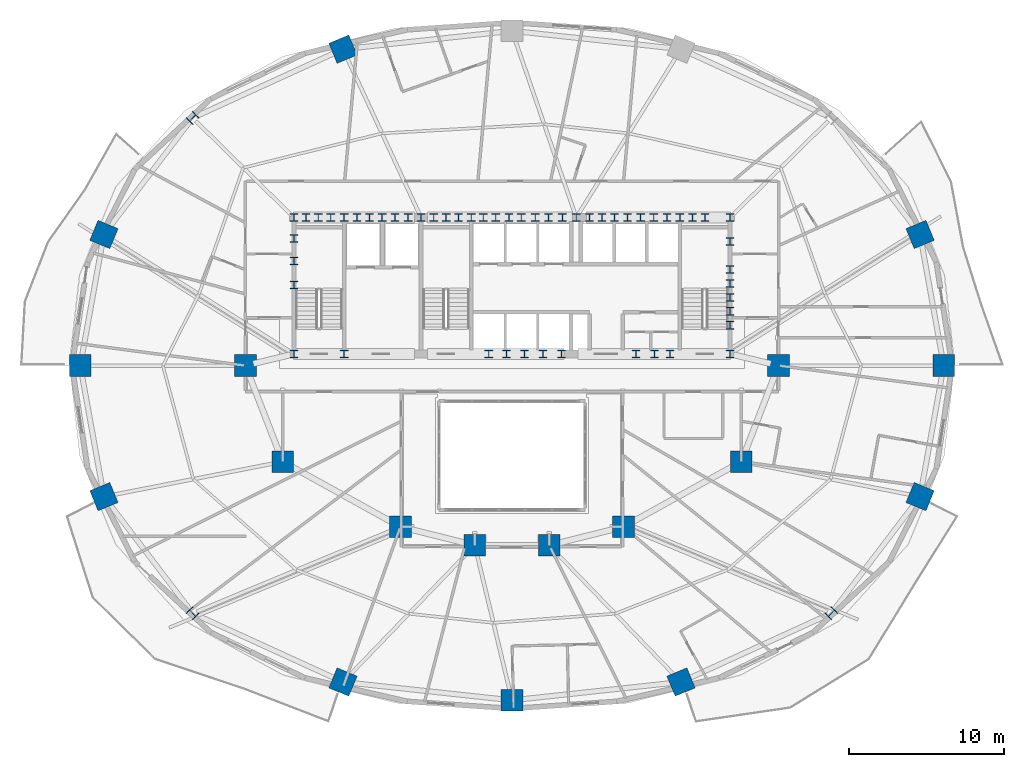
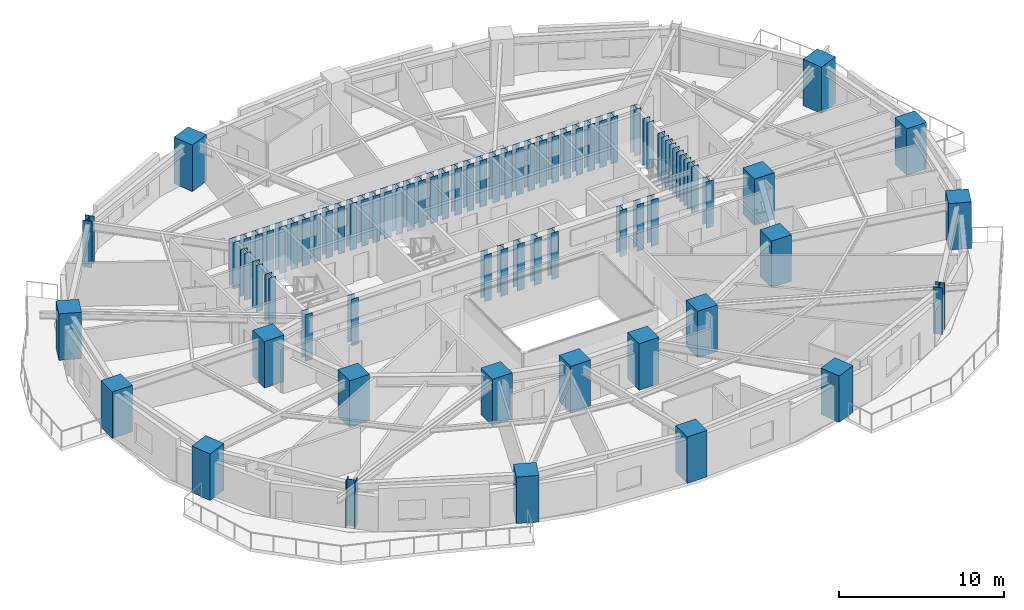
# One storey, part 1 of 15: 75 columns.
"""IFC4 building model written with IfcOpenShell, lengths in metres."""

import ifcopenshell
import ifcopenshell.guid

model = None  # the IFC model being written
_history = None  # IfcOwnerHistory: only IFC2X3 demands one
_inside = {}  # id of a spatial element -> (the spatial element, [elements in it])
_under = {}  # id of a project, library or spatial element -> (it, [spatial elements below it])
_declared = {}  # id of a project -> (the project, [libraries it declares])
_typed = {}  # id of a type object -> (the type object, [elements of that type])
_made_of = {}  # id of a material, layer set ... -> (it, [elements and type objects made of it])


def new_model(schema):
    """Start an empty IFC model of exactly this schema.

    Asked for "IFC4X3", IfcOpenShell would pick the latest addendum, in which some entities
    have other attributes; the version numbers below select the first issue.
    IFC2X3 requires an IfcOwnerHistory on every rooted entity: one is made here for all.
    """
    global model, _history
    if schema == "IFC4X3":
        model = ifcopenshell.file(schema_version=(4, 3, 0, 0))
    else:
        model = ifcopenshell.file(schema=schema)
    _inside.clear()
    _under.clear()
    _declared.clear()
    _typed.clear()
    _made_of.clear()
    _history = None
    if model.schema == "IFC2X3":
        org = make("IfcOrganization", Name="unknown")
        user = make(
            "IfcPersonAndOrganization",
            ThePerson=make("IfcPerson", FamilyName="unknown"),
            TheOrganization=org,
        )
        app = make(
            "IfcApplication",
            ApplicationDeveloper=org,
            Version="unknown",
            ApplicationFullName="unknown",
            ApplicationIdentifier="unknown",
        )
        _history = make(
            "IfcOwnerHistory",
            OwningUser=user,
            OwningApplication=app,
            ChangeAction="ADDED",
            CreationDate=0,
        )
    return model


def make(cls, **values):
    """One entity of the class cls with the attributes given. An attribute that is None is left unset."""
    return model.create_entity(
        cls, **{name: value for name, value in values.items() if value is not None}
    )


def rooted(cls, **values):
    """An entity with a GlobalId (a new one), such as an element, a storey or a relation."""
    return make(cls, GlobalId=ifcopenshell.guid.new(), OwnerHistory=_history, **values)


def si_unit(unit_type, name, prefix=None):
    """IfcSIUnit, for example si_unit("LENGTHUNIT", "METRE", prefix="MILLI")."""
    return make("IfcSIUnit", UnitType=unit_type, Prefix=prefix, Name=name)


def assignment(units):
    """IfcUnitAssignment: the units of a project."""
    return None if units is None else make("IfcUnitAssignment", Units=units)


def point(xyz):
    """IfcCartesianPoint."""
    return None if xyz is None else make("IfcCartesianPoint", Coordinates=xyz)


def direction(xyz):
    """IfcDirection."""
    return None if xyz is None else make("IfcDirection", DirectionRatios=xyz)


def frame(location, z_axis=None, x_axis=None):
    """IfcAxis2Placement3D, a coordinate frame: its origin and axes. An axis left out is left unset."""
    return make(
        "IfcAxis2Placement3D",
        Location=point(location),
        Axis=direction(z_axis),
        RefDirection=direction(x_axis),
    )


def frame_2d(location, x_axis=None):
    """IfcAxis2Placement2D, a coordinate frame in the plane: its origin and x axis."""
    return make(
        "IfcAxis2Placement2D", Location=point(location), RefDirection=direction(x_axis)
    )


def origin():
    """The frame at (0, 0, 0) with its axes left unset."""
    return frame((0.0, 0.0, 0.0))


def origin_2d():
    """The frame at (0, 0) in the plane with its x axis left unset."""
    return frame_2d((0.0, 0.0))


def place(relative_to, where):
    """IfcLocalPlacement: puts the frame where relative to a parent placement (None: the world)."""
    return make(
        "IfcLocalPlacement", PlacementRelTo=relative_to, RelativePlacement=where
    )


def context(
    kind, dimensions, precision=None, world=None, true_north=None, identifier=None
):
    """IfcGeometricRepresentationContext, for example the 3D "Model" context."""
    return make(
        "IfcGeometricRepresentationContext",
        ContextIdentifier=identifier,
        ContextType=kind,
        CoordinateSpaceDimension=dimensions,
        Precision=precision,
        WorldCoordinateSystem=world,
        TrueNorth=true_north,
    )


def subcontext(parent, identifier, kind, view, scale=None):
    """IfcGeometricRepresentationSubContext, for example "Body" below "Model"."""
    return make(
        "IfcGeometricRepresentationSubContext",
        ContextIdentifier=identifier,
        ContextType=kind,
        ParentContext=parent,
        TargetScale=scale,
        TargetView=view,
    )


def project(units=None, contexts=None):
    """IfcProject with its units and contexts."""
    return rooted(
        "IfcProject",
        Name="project",
        RepresentationContexts=contexts,
        UnitsInContext=assignment(units),
    )


def spatial(cls, under=None, at=None, **own):
    """A site, building, storey or space (cls), placed at a placement, below another one or the project."""
    s = rooted(cls, ObjectPlacement=at, **own)
    if under is not None:
        _under.setdefault(under.id(), (under, []))[1].append(s)
    return s


def profile(cls, at=None, kind="AREA", **sizes):
    """A parametric profile (cls). Its sizes go by their IFC names, for example OverallWidth=200.0."""
    return make(cls, ProfileType=kind, Position=at, **sizes)


def rectangle(**sizes):
    """IfcRectangleProfileDef."""
    return profile("IfcRectangleProfileDef", **sizes)


def i_section(**sizes):
    """IfcIShapeProfileDef."""
    return profile("IfcIShapeProfileDef", **sizes)


def extrude(swept, where, along, depth):
    """IfcExtrudedAreaSolid: the profile swept, set in the frame where, extruded along a direction by depth."""
    return make(
        "IfcExtrudedAreaSolid",
        SweptArea=swept,
        Position=where,
        ExtrudedDirection=direction(along),
        Depth=depth,
    )


def shape(context_of_items, identifier, shape_type, items):
    """IfcShapeRepresentation: the items that make up one representation, for example the "Body"."""
    return make(
        "IfcShapeRepresentation",
        ContextOfItems=context_of_items,
        RepresentationIdentifier=identifier,
        RepresentationType=shape_type,
        Items=items,
    )


def material(Name=None, Category=None):
    """IfcMaterial."""
    return make("IfcMaterial", Name=Name, Category=Category)


def material_profile(
    of_material, cross_section, Name=None, Category=None, Priority=None
):
    """IfcMaterialProfile: a cross section and its material."""
    return make(
        "IfcMaterialProfile",
        Name=Name,
        Material=of_material,
        Profile=cross_section,
        Priority=Priority,
        Category=Category,
    )


def profile_set(profiles, Name=None, composite=None):
    """IfcMaterialProfileSet."""
    return make(
        "IfcMaterialProfileSet",
        Name=Name,
        MaterialProfiles=profiles,
        CompositeProfile=composite,
    )


def made_of(thing, what):
    """Note that an element or type object is made of a material, layer set ...; save() writes the relation."""
    if what is not None:
        _made_of.setdefault(what.id(), (what, []))[1].append(thing)
    return thing


def type_object(cls, material=None, **own):
    """A type object (cls), such as IfcWallType, which elements share."""
    return made_of(rooted(cls, **own), material)


def element(
    cls,
    number,
    at=None,
    inside=None,
    cuts=None,
    type_object=None,
    material=None,
    context=None,
    identifier="Body",
    shape_type=None,
    held_by="IfcProductDefinitionShape",
    body=None,
    shapes=None,
    **own,
):
    """One element of the class cls, such as IfcWall. Its Tag is "e" and its number.

    at: its placement. inside: the storey or other place that contains it. cuts: it is an
    opening in that element (IfcRelVoidsElement). A single representation is given by context,
    identifier, shape_type and body (its items); several are given by shapes. held_by: the class
    of the entity that holds the representations. save() writes the other relations.
    """
    e = rooted(cls, Tag="e%d" % number, ObjectPlacement=at, **own)
    if body is not None:
        shapes = [shape(context, identifier, shape_type, body)]
    if shapes is not None:
        e.Representation = make(held_by, Representations=shapes)
    if inside is not None:
        _inside.setdefault(inside.id(), (inside, []))[1].append(e)
    if cuts is not None:
        rooted(
            "IfcRelVoidsElement", RelatingBuildingElement=cuts, RelatedOpeningElement=e
        )
    if type_object is not None:
        _typed.setdefault(type_object.id(), (type_object, []))[1].append(e)
    return made_of(e, material)


def aggregate(whole, parts):
    """IfcRelAggregates: a whole, such as a stair, and the parts it consists of."""
    return rooted("IfcRelAggregates", RelatingObject=whole, RelatedObjects=parts)


def save(model, path):
    """Write the relations noted so far, then the file.

    IfcRelAggregates (storeys below a building ...), IfcRelContainedInSpatialStructure (elements
    in a storey), IfcRelDefinesByType, IfcRelAssociatesMaterial and IfcRelDeclares: one each for
    every whole, place, type object, material and project.
    """
    for whole, parts in _under.values():
        aggregate(whole, parts)
    for where, things in _inside.values():
        rooted(
            "IfcRelContainedInSpatialStructure",
            RelatedElements=things,
            RelatingStructure=where,
        )
    for kind, things in _typed.values():
        rooted("IfcRelDefinesByType", RelatedObjects=things, RelatingType=kind)
    for what, things in _made_of.values():
        rooted("IfcRelAssociatesMaterial", RelatedObjects=things, RelatingMaterial=what)
    for by, libraries in _declared.values():
        rooted("IfcRelDeclares", RelatingContext=by, RelatedDefinitions=libraries)
    model.write(path)


model = new_model("IFC4")

# Units and contexts
model_context = context("Model", 3, precision=1e-05, world=origin(), true_north=direction((0.0, 1.0)))
body_context = subcontext(model_context, "Body", "Model", "MODEL_VIEW")
ifc_project = project(units=[si_unit("LENGTHUNIT", "METRE"), si_unit("AREAUNIT", "SQUARE_METRE"), si_unit("VOLUMEUNIT", "CUBIC_METRE"), si_unit("PLANEANGLEUNIT", "RADIAN"), si_unit("MASSUNIT", "GRAM", prefix="KILO")], contexts=[model_context])

# Site, building, storey
site_placement = place(None, origin())
site = spatial("IfcSite", under=ifc_project, at=site_placement, CompositionType="ELEMENT")
building_placement = place(site_placement, origin())
building = spatial("IfcBuilding", under=site, at=building_placement, Name="Haldorwick Loom Tower", CompositionType="ELEMENT")
storey_placement = place(building_placement, frame((0.0, 0.0, 85.25)))
storey = spatial("IfcBuildingStorey", under=building, at=storey_placement, Name="L22", CompositionType="ELEMENT", Elevation=85.25)

# Columns
ifc_material_1 = material(Name="Concrete C60 (60 MPa)", Category="concrete")
ifc_material_profile_1 = material_profile(ifc_material_1, rectangle(XDim=1.39990234375, YDim=1.39990234375, at=origin_2d()), Name="RC1400X1400", Category="concrete")
ifc_profile_set_1 = profile_set([ifc_material_profile_1], Name="Concrete C60 (60 MPa)")
column_type_1 = type_object("IfcColumnType", Name="STR-COL-MEGA1400", PredefinedType="COLUMN", material=ifc_profile_set_1)
for number, where, z_axis, x_axis, name in (
    (1, (53.199951171875, 26.0, 0.0), (0.0, 0.0, 1.0), (1.0, 0.0, 0.0), "L22 Inner Column IC-01"),
    (2, (50.800048828125, 19.800048828125, 0.0), (0.0, 0.0, 1.0), (1.0, 0.0, 0.0), "L22 Inner Column IC-02"),
    (3, (43.199951171875, 15.60009765625, 0.0), (0.0, 0.0, 1.0), (1.0, 0.0, 0.0), "L22 Inner Column IC-03"),
    (4, (38.39990234375, 14.39990234375, 0.0), (0.0, 0.0, 1.0), (1.0, 0.0, 0.0), "L22 Inner Column IC-04"),
    (5, (33.60009765625, 14.39990234375, 0.0), (0.0, 0.0, 1.0), (1.0, 0.0, 0.0), "L22 Inner Column IC-05"),
    (6, (28.800048828125, 15.60009765625, 0.0), (0.0, 0.0, 1.0), (1.0, 0.0, 0.0), "L22 Inner Column IC-06"),
    (7, (21.199951171875, 19.800048828125, 0.0), (0.0, 0.0, 1.0), (1.0, 0.0, 0.0), "L22 Inner Column IC-07"),
    (8, (18.800048828125, 26.0, 0.0), (0.0, 0.0, 1.0), (1.0, 0.0, 0.0), "L22 Inner Column IC-08"),
):
    element("IfcColumn", number, at=place(storey_placement, frame(where, z_axis=z_axis, x_axis=x_axis)), inside=storey, type_object=column_type_1, Name=name, PredefinedType="COLUMN", context=body_context, shape_type="SweptSolid", body=[
        extrude(rectangle(XDim=1.39990234375, YDim=1.39990234375, at=origin_2d()), origin(), (0.0, 0.0, 1.0), 3.449951171875),
    ])
ifc_material_profile_2 = material_profile(ifc_material_1, rectangle(XDim=1.39990234375, YDim=1.39990234375, at=origin_2d()), Name="RC1400X1400", Category="concrete")
ifc_profile_set_2 = profile_set([ifc_material_profile_2], Name="Concrete C60 (60 MPa)")
column_type_2 = type_object("IfcColumnType", Name="STR-COL-RC1400", PredefinedType="PILASTER", material=ifc_profile_set_2)
for number, where, z_axis, x_axis, name in (
    (9, (63.857666015625, 26.0, 0.0), (0.0, 0.0, 1.0), (1.0, 0.0, 0.0), "L22 Perimeter Pier Column P01"),
    (10, (62.33056640625, 34.457275390625, 0.0), (0.0, 0.0, 1.0), (0.923879532511, 0.382683432365, 0.0), "L22 Perimeter Pier Column P02"),
    (11, (25.093505859375, 46.417724609375, 0.0), (0.0, 0.0, 1.0), (-0.382683432365, 0.923879532511, 0.0), "L22 Perimeter Pier Column P06"),
    (12, (9.66943359375, 34.457275390625, 0.0), (0.0, 0.0, 1.0), (-0.923879532511, 0.382683432365, 0.0), "L22 Perimeter Pier Column P08"),
    (13, (8.142333984375, 26.0, 0.0), (0.0, 0.0, 1.0), (-1.0, 0.0, 0.0), "L22 Perimeter Pier Column P09"),
    (14, (9.66943359375, 17.542724609375, 0.0), (0.0, 0.0, 1.0), (-0.923879532511, -0.382683432365, 0.0), "L22 Perimeter Pier Column P10"),
    (15, (25.093505859375, 5.582275390625, 0.0), (0.0, 0.0, 1.0), (-0.382683432365, -0.923879532511, 0.0), "L22 Perimeter Pier Column P12"),
    (16, (36.0, 4.401611328125, 0.0), (0.0, 0.0, 1.0), (0.0, -1.0, 0.0), "L22 Perimeter Pier Column P13"),
    (17, (46.906494140625, 5.582275390625, 0.0), (0.0, 0.0, 1.0), (0.382683432365, -0.923879532511, 0.0), "L22 Perimeter Pier Column P14"),
    (18, (62.33056640625, 17.542724609375, 0.0), (0.0, 0.0, 1.0), (0.923879532511, -0.382683432365, 0.0), "L22 Perimeter Pier Column P16"),
):
    element("IfcColumn", number, at=place(storey_placement, frame(where, z_axis=z_axis, x_axis=x_axis)), inside=storey, type_object=column_type_2, Name=name, PredefinedType="PILASTER", context=body_context, shape_type="SweptSolid", body=[
        extrude(rectangle(XDim=1.39990234375, YDim=1.39990234375, at=origin_2d()), origin(), (0.0, 0.0, 1.0), 3.449951171875),
    ])
ifc_material_2 = material(Name="Steel CSA G40.21 350WT", Category="steel")
ifc_material_profile_3 = material_profile(ifc_material_2, i_section(OverallWidth=0.5, OverallDepth=0.5, WebThickness=0.02197265625, FlangeThickness=0.031982421875, at=origin_2d()), Name="WWF500X500", Category="steel")
ifc_profile_set_3 = profile_set([ifc_material_profile_3], Name="Steel CSA G40.21 350WT")
column_type_3 = type_object("IfcColumnType", Name="STR-COL-WWF500", PredefinedType="COLUMN", material=ifc_profile_set_3)
for number, where, z_axis, x_axis, name in (
    (19, (21.929931640625, 35.550048828125, 0.0), (0.0, 0.0, 1.0), (1.0, 0.0, 0.0), "L22 Core Pilaster CB-01"),
    (20, (23.5, 35.550048828125, 0.0), (0.0, 0.0, 1.0), (1.0, 0.0, 0.0), "L22 Core Pilaster CB-02"),
    (21, (25.169921875, 35.550048828125, 0.0), (0.0, 0.0, 1.0), (1.0, 0.0, 0.0), "L22 Core Pilaster CB-03"),
    (22, (26.800048828125, 35.550048828125, 0.0), (0.0, 0.0, 1.0), (1.0, 0.0, 0.0), "L22 Core Pilaster CB-04"),
    (23, (28.449951171875, 35.550048828125, 0.0), (0.0, 0.0, 1.0), (1.0, 0.0, 0.0), "L22 Core Pilaster CB-05"),
    (24, (30.1298828125, 35.550048828125, 0.0), (0.0, 0.0, 1.0), (1.0, 0.0, 0.0), "L22 Core Pilaster CB-06"),
    (25, (31.75, 35.550048828125, 0.0), (0.0, 0.0, 1.0), (1.0, 0.0, 0.0), "L22 Core Pilaster CB-07"),
    (26, (33.3701171875, 35.550048828125, 0.0), (0.0, 0.0, 1.0), (1.0, 0.0, 0.0), "L22 Core Pilaster CB-08"),
    (27, (34.949951171875, 35.550048828125, 0.0), (0.0, 0.0, 1.0), (1.0, 0.0, 0.0), "L22 Core Pilaster CB-09"),
    (28, (36.60009765625, 35.550048828125, 0.0), (0.0, 0.0, 1.0), (1.0, 0.0, 0.0), "L22 Core Pilaster CB-10"),
    (29, (38.35009765625, 35.550048828125, 0.0), (0.0, 0.0, 1.0), (1.0, 0.0, 0.0), "L22 Core Pilaster CB-11"),
    (30, (40.14990234375, 35.550048828125, 0.0), (0.0, 0.0, 1.0), (1.0, 0.0, 0.0), "L22 Core Pilaster CB-12"),
    (31, (41.800048828125, 35.550048828125, 0.0), (0.0, 0.0, 1.0), (1.0, 0.0, 0.0), "L22 Core Pilaster CB-13"),
    (32, (43.449951171875, 35.550048828125, 0.0), (0.0, 0.0, 1.0), (1.0, 0.0, 0.0), "L22 Core Pilaster CB-14"),
    (33, (45.14990234375, 35.550048828125, 0.0), (0.0, 0.0, 1.0), (1.0, 0.0, 0.0), "L22 Core Pilaster CB-15"),
    (34, (46.830078125, 35.550048828125, 0.0), (0.0, 0.0, 1.0), (1.0, 0.0, 0.0), "L22 Core Pilaster CB-16"),
    (35, (48.449951171875, 35.550048828125, 0.0), (0.0, 0.0, 1.0), (1.0, 0.0, 0.0), "L22 Core Pilaster CB-17"),
    (36, (50.070068359375, 35.550048828125, 0.0), (0.0, 0.0, 1.0), (1.0, 0.0, 0.0), "L22 Core Pilaster CB-18"),
    (37, (21.929931640625, 26.75, 0.0), (0.0, 0.0, 1.0), (1.0, 0.0, 0.0), "L22 Core Pilaster CB-19"),
    (38, (25.169921875, 26.75, 0.0), (0.0, 0.0, 1.0), (1.0, 0.0, 0.0), "L22 Core Pilaster CB-20"),
    (39, (34.5, 26.75, 0.0), (0.0, 0.0, 1.0), (1.0, 0.0, 0.0), "L22 Core Pilaster CB-21"),
    (40, (36.800048828125, 26.75, 0.0), (0.0, 0.0, 1.0), (1.0, 0.0, 0.0), "L22 Core Pilaster CB-22"),
    (41, (39.199951171875, 26.75, 0.0), (0.0, 0.0, 1.0), (1.0, 0.0, 0.0), "L22 Core Pilaster CB-23"),
    (42, (45.199951171875, 26.75, 0.0), (0.0, 0.0, 1.0), (1.0, 0.0, 0.0), "L22 Core Pilaster CB-24"),
    (43, (50.070068359375, 26.75, 0.0), (0.0, 0.0, 1.0), (1.0, 0.0, 0.0), "L22 Core Pilaster CB-25"),
    (44, (21.929931640625, 31.199951171875, 0.0), (0.0, 0.0, 1.0), (1.0, 0.0, 0.0), "L22 Core Pilaster CB-26"),
    (45, (21.929931640625, 32.75, 0.0), (0.0, 0.0, 1.0), (1.0, 0.0, 0.0), "L22 Core Pilaster CB-27"),
    (46, (21.929931640625, 34.199951171875, 0.0), (0.0, 0.0, 1.0), (1.0, 0.0, 0.0), "L22 Core Pilaster CB-28"),
    (47, (50.070068359375, 28.60009765625, 0.0), (0.0, 0.0, 1.0), (1.0, 0.0, 0.0), "L22 Core Pilaster CB-29"),
    (48, (50.070068359375, 30.39990234375, 0.0), (0.0, 0.0, 1.0), (1.0, 0.0, 0.0), "L22 Core Pilaster CB-30"),
    (49, (50.070068359375, 32.199951171875, 0.0), (0.0, 0.0, 1.0), (1.0, 0.0, 0.0), "L22 Core Pilaster CB-31"),
    (50, (50.070068359375, 34.0, 0.0), (0.0, 0.0, 1.0), (1.0, 0.0, 0.0), "L22 Core Pilaster CB-32"),
    (51, (22.699951171875, 35.550048828125, 0.0), (0.0, 0.0, 1.0), (1.0, 0.0, 0.0), "L22 Core Pilaster CB-33"),
    (52, (27.6201171875, 35.550048828125, 0.0), (0.0, 0.0, 1.0), (1.0, 0.0, 0.0), "L22 Core Pilaster CB-34"),
    (53, (32.550048828125, 35.550048828125, 0.0), (0.0, 0.0, 1.0), (1.0, 0.0, 0.0), "L22 Core Pilaster CB-35"),
    (54, (37.5, 35.550048828125, 0.0), (0.0, 0.0, 1.0), (1.0, 0.0, 0.0), "L22 Core Pilaster CB-36"),
    (55, (42.6201171875, 35.550048828125, 0.0), (0.0, 0.0, 1.0), (1.0, 0.0, 0.0), "L22 Core Pilaster CB-37"),
    (56, (47.64990234375, 35.550048828125, 0.0), (0.0, 0.0, 1.0), (1.0, 0.0, 0.0), "L22 Core Pilaster CB-38"),
    (57, (24.300048828125, 35.550048828125, 0.0), (0.0, 0.0, 1.0), (1.0, 0.0, 0.0), "L22 Core Pilaster CB-39"),
    (58, (26.0, 35.550048828125, 0.0), (0.0, 0.0, 1.0), (1.0, 0.0, 0.0), "L22 Core Pilaster CB-40"),
    (59, (29.300048828125, 35.550048828125, 0.0), (0.0, 0.0, 1.0), (1.0, 0.0, 0.0), "L22 Core Pilaster CB-41"),
    (60, (30.949951171875, 35.550048828125, 0.0), (0.0, 0.0, 1.0), (1.0, 0.0, 0.0), "L22 Core Pilaster CB-42"),
    (61, (34.14990234375, 35.550048828125, 0.0), (0.0, 0.0, 1.0), (1.0, 0.0, 0.0), "L22 Core Pilaster CB-43"),
    (62, (35.800048828125, 35.550048828125, 0.0), (0.0, 0.0, 1.0), (1.0, 0.0, 0.0), "L22 Core Pilaster CB-44"),
    (63, (39.25, 35.550048828125, 0.0), (0.0, 0.0, 1.0), (1.0, 0.0, 0.0), "L22 Core Pilaster CB-45"),
    (64, (41.0, 35.550048828125, 0.0), (0.0, 0.0, 1.0), (1.0, 0.0, 0.0), "L22 Core Pilaster CB-46"),
    (65, (44.300048828125, 35.550048828125, 0.0), (0.0, 0.0, 1.0), (1.0, 0.0, 0.0), "L22 Core Pilaster CB-47"),
    (66, (46.0, 35.550048828125, 0.0), (0.0, 0.0, 1.0), (1.0, 0.0, 0.0), "L22 Core Pilaster CB-48"),
    (67, (50.070068359375, 29.5, 0.0), (0.0, 0.0, 1.0), (1.0, 0.0, 0.0), "L22 Core Pilaster CB-49"),
    (68, (50.070068359375, 31.300048828125, 0.0), (0.0, 0.0, 1.0), (1.0, 0.0, 0.0), "L22 Core Pilaster CB-50"),
    (69, (35.64990234375, 26.75, 0.0), (0.0, 0.0, 1.0), (1.0, 0.0, 0.0), "L22 Core Pilaster CB-51"),
    (70, (38.0, 26.75, 0.0), (0.0, 0.0, 1.0), (1.0, 0.0, 0.0), "L22 Core Pilaster CB-52"),
    (71, (44.0, 26.75, 0.0), (0.0, 0.0, 1.0), (1.0, 0.0, 0.0), "L22 Core Pilaster CB-53"),
    (72, (46.199951171875, 26.75, 0.0), (0.0, 0.0, 1.0), (1.0, 0.0, 0.0), "L22 Core Pilaster CB-54"),
):
    element("IfcColumn", number, at=place(storey_placement, frame(where, z_axis=z_axis, x_axis=x_axis)), inside=storey, type_object=column_type_3, Name=name, PredefinedType="COLUMN", context=body_context, shape_type="SweptSolid", body=[
        extrude(i_section(OverallWidth=0.5, OverallDepth=0.5, WebThickness=0.02197265625, FlangeThickness=0.031982421875, at=origin_2d()), origin(), (0.0, 0.0, 1.0), 3.449951171875),
    ])
ifc_material_profile_4 = material_profile(ifc_material_2, i_section(OverallWidth=0.60009765625, OverallDepth=0.60009765625, WebThickness=0.02490234375, FlangeThickness=0.035888671875, at=origin_2d()), Name="WWF600X600", Category="steel")
ifc_profile_set_4 = profile_set([ifc_material_profile_4], Name="Steel CSA G40.21 350WT")
column_type_4 = type_object("IfcColumnType", Name="STR-COL-WWF600", PredefinedType="COLUMN", material=ifc_profile_set_4)
for number, where, z_axis, x_axis, name in (
    (73, (15.393310546875, 41.981689453125, 0.0), (0.0, 0.0, 1.0), (-0.707106781187, 0.707106781187, 0.0), "L22 Perimeter Pier Column P07"),
    (74, (15.393310546875, 10.018310546875, 0.0), (0.0, 0.0, 1.0), (-0.707106781187, -0.707106781187, 0.0), "L22 Perimeter Pier Column P11"),
    (75, (56.606689453125, 10.018310546875, 0.0), (0.0, 0.0, 1.0), (0.707106781187, -0.707106781187, 0.0), "L22 Perimeter Pier Column P15"),
):
    element("IfcColumn", number, at=place(storey_placement, frame(where, z_axis=z_axis, x_axis=x_axis)), inside=storey, type_object=column_type_4, Name=name, PredefinedType="COLUMN", context=body_context, shape_type="SweptSolid", body=[
        extrude(i_section(OverallWidth=0.60009765625, OverallDepth=0.60009765625, WebThickness=0.02490234375, FlangeThickness=0.035888671875, at=origin_2d()), origin(), (0.0, 0.0, 1.0), 3.449951171875),
    ])

save(model, "model.ifc")
